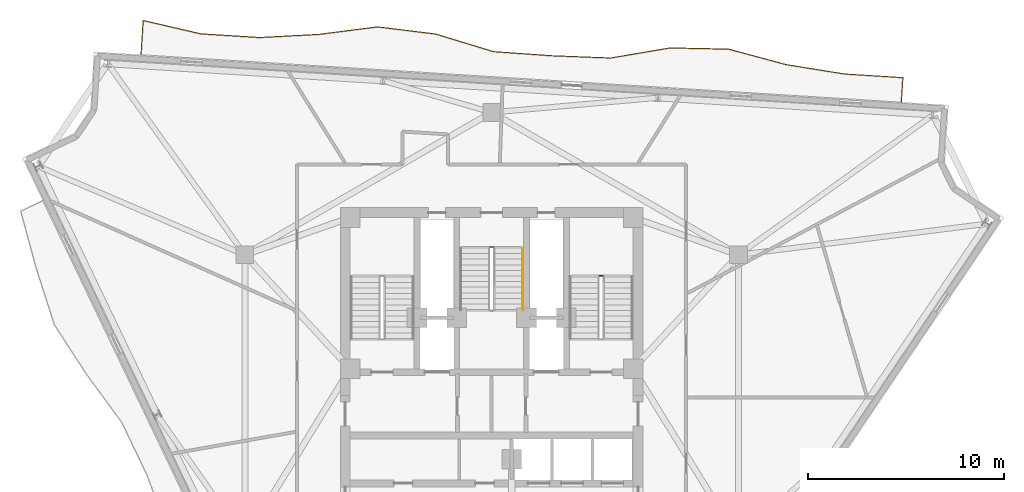
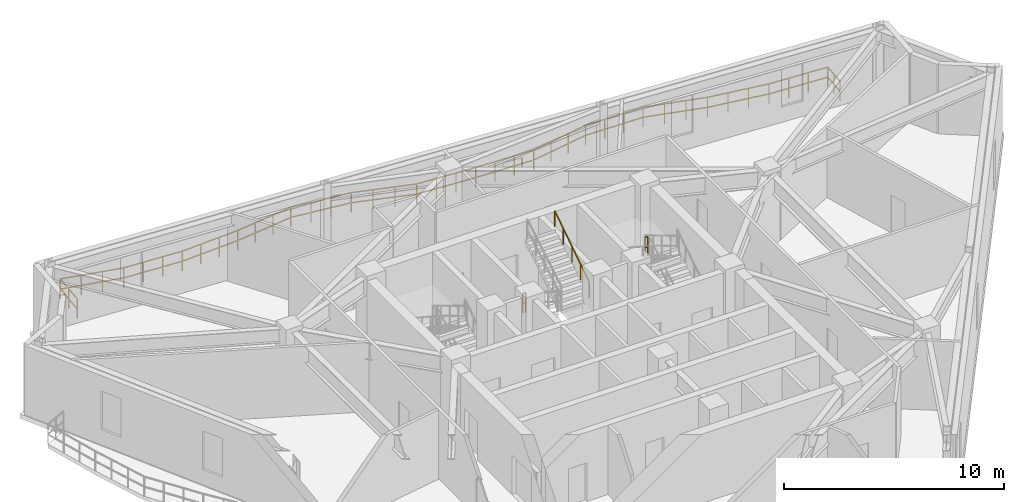
# One storey, part 10 of 10: 4 railings.
"""IFC4 building model written with IfcOpenShell, lengths in metres."""

from ifc_helpers import new_model, si_unit, direction, frame, origin, origin_2d, place, context, subcontext, project, spatial, rectangle, extrude, material, type_object, element, save


model = new_model("IFC4")

# Units and contexts
model_context = context("Model", 3, precision=1e-05, world=origin(), true_north=direction((0.0, 1.0)))
body_context = subcontext(model_context, "Body", "Model", "MODEL_VIEW")
ifc_project = project(units=[si_unit("LENGTHUNIT", "METRE"), si_unit("AREAUNIT", "SQUARE_METRE"), si_unit("VOLUMEUNIT", "CUBIC_METRE"), si_unit("PLANEANGLEUNIT", "RADIAN"), si_unit("MASSUNIT", "GRAM", prefix="KILO")], contexts=[model_context])

# Site, building, storey
site_placement = place(None, origin())
site = spatial("IfcSite", under=ifc_project, at=site_placement, CompositionType="ELEMENT")
building_placement = place(site_placement, origin())
building = spatial("IfcBuilding", under=site, at=building_placement, Name="Apsidion Concourse Tower", CompositionType="ELEMENT")
storey_placement = place(building_placement, frame((0.0, 0.0, 302.39990234375)))
storey = spatial("IfcBuildingStorey", under=building, at=storey_placement, Name="L71", CompositionType="ELEMENT", Elevation=302.39990234375)

# Railings
ifc_material = material(Name="Brushed stainless steel 316", Category="steel")
railing_type_1 = type_object("IfcRailingType", Name="RL-BAL-1120", PredefinedType="BALUSTRADE", material=ifc_material)
railing_1_placement = place(storey_placement, frame((-17.848388671875, 17.43896484375, 0.0)))
element("IfcRailing", 1, at=railing_1_placement, inside=storey, type_object=railing_type_1, Name="L71 Face 3 Rippling Balcony Balustrade", PredefinedType="BALUSTRADE", context=body_context, shape_type="SweptSolid", body=[
    extrude(rectangle(XDim=0.048095703125, YDim=0.048095703125, at=origin_2d()), frame((0.0, 0.0, 1.09619140625), z_axis=(0.062221595669, 0.99806235929, 0.0), x_axis=(-0.99806235929, 0.062221595669, 0.0)), (0.0, 0.0, 1.0), 1.74609375),
    extrude(rectangle(XDim=0.048095703125, YDim=0.048095703125, at=origin_2d()), frame((0.0, 0.0, 0.5361328125), z_axis=(0.062221595669, 0.99806235929, 0.0), x_axis=(-0.99806235929, 0.062221595669, 0.0)), (0.0, 0.0, 1.0), 1.74609375),
    extrude(rectangle(XDim=0.048095703125, YDim=0.048095703125, at=origin_2d()), frame((0.108642578125, 1.74267578125, 1.09619140625), z_axis=(0.974340827868, -0.22507765582, 0.0), x_axis=(0.22507765582, 0.974340827868, 0.0)), (0.0, 0.0, 1.0), 3.024169921875),
    extrude(rectangle(XDim=0.048095703125, YDim=0.048095703125, at=origin_2d()), frame((0.108642578125, 1.74267578125, 0.5361328125), z_axis=(0.974340827868, -0.22507765582, 0.0), x_axis=(0.22507765582, 0.974340827868, 0.0)), (0.0, 0.0, 1.0), 3.024169921875),
    extrude(rectangle(XDim=0.048095703125, YDim=0.048095703125, at=origin_2d()), frame((3.05517578125, 1.06201171875, 1.09619140625), z_axis=(0.998058624336, -0.062281477091, 0.0), x_axis=(0.062281477091, 0.998058624336, 0.0)), (0.0, 0.0, 1.0), 2.983154296875),
    extrude(rectangle(XDim=0.048095703125, YDim=0.048095703125, at=origin_2d()), frame((3.05517578125, 1.06201171875, 0.5361328125), z_axis=(0.998058624336, -0.062281477091, 0.0), x_axis=(0.062281477091, 0.998058624336, 0.0)), (0.0, 0.0, 1.0), 2.983154296875),
    extrude(rectangle(XDim=0.048095703125, YDim=0.048095703125, at=origin_2d()), frame((6.032470703125, 0.876220703125, 1.09619140625), z_axis=(0.998632390419, 0.05228143845, 0.0), x_axis=(-0.05228143845, 0.998632390419, 0.0)), (0.0, 0.0, 1.0), 3.002685546875),
    extrude(rectangle(XDim=0.048095703125, YDim=0.048095703125, at=origin_2d()), frame((6.032470703125, 0.876220703125, 0.5361328125), z_axis=(0.998632390419, 0.05228143845, 0.0), x_axis=(-0.05228143845, 0.998632390419, 0.0)), (0.0, 0.0, 1.0), 3.002685546875),
    extrude(rectangle(XDim=0.048095703125, YDim=0.048095703125, at=origin_2d()), frame((9.031005859375, 1.033203125, 1.09619140625), z_axis=(0.991964380963, 0.126517456903, 0.0), x_axis=(-0.126517456903, 0.991964380963, 0.0)), (0.0, 0.0, 1.0), 3.037353515625),
    extrude(rectangle(XDim=0.048095703125, YDim=0.048095703125, at=origin_2d()), frame((9.031005859375, 1.033203125, 0.5361328125), z_axis=(0.991964380963, 0.126517456903, 0.0), x_axis=(-0.126517456903, 0.991964380963, 0.0)), (0.0, 0.0, 1.0), 3.037353515625),
    extrude(rectangle(XDim=0.048095703125, YDim=0.048095703125, at=origin_2d()), frame((12.0439453125, 1.41748046875, 1.09619140625), z_axis=(0.992503694935, -0.122214628992, 0.0), x_axis=(0.122214628992, 0.992503694935, 0.0)), (0.0, 0.0, 1.0), 2.988525390625),
    extrude(rectangle(XDim=0.048095703125, YDim=0.048095703125, at=origin_2d()), frame((12.0439453125, 1.41748046875, 0.5361328125), z_axis=(0.992503694935, -0.122214628992, 0.0), x_axis=(0.122214628992, 0.992503694935, 0.0)), (0.0, 0.0, 1.0), 2.988525390625),
    extrude(rectangle(XDim=0.048095703125, YDim=0.048095703125, at=origin_2d()), frame((15.010009765625, 1.05224609375, 1.09619140625), z_axis=(0.956461510889, -0.291858490005, 0.0), x_axis=(0.291858490005, 0.956461510889, 0.0)), (0.0, 0.0, 1.0), 3.066650390625),
    extrude(rectangle(XDim=0.048095703125, YDim=0.048095703125, at=origin_2d()), frame((15.010009765625, 1.05224609375, 0.5361328125), z_axis=(0.956461510889, -0.291858490005, 0.0), x_axis=(0.291858490005, 0.956461510889, 0.0)), (0.0, 0.0, 1.0), 3.066650390625),
    extrude(rectangle(XDim=0.048095703125, YDim=0.048095703125, at=origin_2d()), frame((17.943115234375, 0.1572265625, 1.09619140625), z_axis=(0.997531698812, -0.070217589432, 0.0), x_axis=(0.070217589432, 0.997531698812, 0.0)), (0.0, 0.0, 1.0), 2.983154296875),
    extrude(rectangle(XDim=0.048095703125, YDim=0.048095703125, at=origin_2d()), frame((17.943115234375, 0.1572265625, 0.5361328125), z_axis=(0.997531698812, -0.070217589432, 0.0), x_axis=(0.070217589432, 0.997531698812, 0.0)), (0.0, 0.0, 1.0), 2.983154296875),
    extrude(rectangle(XDim=0.048095703125, YDim=0.048095703125, at=origin_2d()), frame((20.9189453125, -0.05224609375, 1.09619140625), z_axis=(0.999266603173, -0.038291719503, 0.0), x_axis=(0.038291719503, 0.999266603173, 0.0)), (0.0, 0.0, 1.0), 2.98388671875),
    extrude(rectangle(XDim=0.048095703125, YDim=0.048095703125, at=origin_2d()), frame((20.9189453125, -0.05224609375, 0.5361328125), z_axis=(0.999266603173, -0.038291719503, 0.0), x_axis=(0.038291719503, 0.999266603173, 0.0)), (0.0, 0.0, 1.0), 2.98388671875),
    extrude(rectangle(XDim=0.048095703125, YDim=0.048095703125, at=origin_2d()), frame((23.900634765625, -0.16650390625, 1.09619140625), z_axis=(0.985874403336, 0.167486300478, 0.0), x_axis=(-0.167486300478, 0.985874403336, 0.0)), (0.0, 0.0, 1.0), 3.06396484375),
    extrude(rectangle(XDim=0.048095703125, YDim=0.048095703125, at=origin_2d()), frame((23.900634765625, -0.16650390625, 0.5361328125), z_axis=(0.985874403336, 0.167486300478, 0.0), x_axis=(-0.167486300478, 0.985874403336, 0.0)), (0.0, 0.0, 1.0), 3.06396484375),
    extrude(rectangle(XDim=0.048095703125, YDim=0.048095703125, at=origin_2d()), frame((26.92138671875, 0.3466796875, 1.09619140625), z_axis=(0.999782595316, -0.020850949686, 0.0), x_axis=(0.020850949686, 0.999782595316, 0.0)), (0.0, 0.0, 1.0), 2.98583984375),
    extrude(rectangle(XDim=0.048095703125, YDim=0.048095703125, at=origin_2d()), frame((26.92138671875, 0.3466796875, 0.5361328125), z_axis=(0.999782595316, -0.020850949686, 0.0), x_axis=(0.020850949686, 0.999782595316, 0.0)), (0.0, 0.0, 1.0), 2.98583984375),
    extrude(rectangle(XDim=0.048095703125, YDim=0.048095703125, at=origin_2d()), frame((29.906494140625, 0.284423828125, 1.09619140625), z_axis=(0.96585311914, -0.259090239583, 0.0), x_axis=(0.259090239583, 0.96585311914, 0.0)), (0.0, 0.0, 1.0), 3.043701171875),
    extrude(rectangle(XDim=0.048095703125, YDim=0.048095703125, at=origin_2d()), frame((29.906494140625, 0.284423828125, 0.5361328125), z_axis=(0.96585311914, -0.259090239583, 0.0), x_axis=(0.259090239583, 0.96585311914, 0.0)), (0.0, 0.0, 1.0), 3.043701171875),
    extrude(rectangle(XDim=0.048095703125, YDim=0.048095703125, at=origin_2d()), frame((32.84619140625, -0.504150390625, 1.09619140625), z_axis=(0.987292287577, -0.158914879388, 0.0), x_axis=(0.158914879388, 0.987292287577, 0.0)), (0.0, 0.0, 1.0), 2.997314453125),
    extrude(rectangle(XDim=0.048095703125, YDim=0.048095703125, at=origin_2d()), frame((32.84619140625, -0.504150390625, 0.5361328125), z_axis=(0.987292287577, -0.158914879388, 0.0), x_axis=(0.158914879388, 0.987292287577, 0.0)), (0.0, 0.0, 1.0), 2.997314453125),
    extrude(rectangle(XDim=0.048095703125, YDim=0.048095703125, at=origin_2d()), frame((35.805419921875, -0.98046875, 1.09619140625), z_axis=(0.998058624336, -0.062281477091, 0.0), x_axis=(0.062281477091, 0.998058624336, 0.0)), (0.0, 0.0, 1.0), 2.983154296875),
    extrude(rectangle(XDim=0.048095703125, YDim=0.048095703125, at=origin_2d()), frame((35.805419921875, -0.98046875, 0.5361328125), z_axis=(0.998058624336, -0.062281477091, 0.0), x_axis=(0.062281477091, 0.998058624336, 0.0)), (0.0, 0.0, 1.0), 2.983154296875),
    extrude(rectangle(XDim=0.048095703125, YDim=0.048095703125, at=origin_2d()), frame((38.78271484375, -1.166259765625, 1.09619140625), z_axis=(-0.06230532804, -0.998057135688, 0.0), x_axis=(0.998057135688, -0.06230532804, 0.0)), (0.0, 0.0, 1.0), 1.25),
    extrude(rectangle(XDim=0.048095703125, YDim=0.048095703125, at=origin_2d()), frame((38.78271484375, -1.166259765625, 0.5361328125), z_axis=(-0.06230532804, -0.998057135688, 0.0), x_axis=(0.998057135688, -0.06230532804, 0.0)), (0.0, 0.0, 1.0), 1.25),
    extrude(rectangle(XDim=0.0419921875, YDim=0.0419921875, at=origin_2d()), origin(), (0.0, 0.0, 1.0), 1.072021484375),
    extrude(rectangle(XDim=0.0419921875, YDim=0.0419921875, at=origin_2d()), frame((0.05419921875, 0.871337890625, 0.0)), (0.0, 0.0, 1.0), 1.072021484375),
    extrude(rectangle(XDim=0.0419921875, YDim=0.0419921875, at=origin_2d()), frame((0.108642578125, 1.74267578125, 0.0)), (0.0, 0.0, 1.0), 1.072021484375),
    extrude(rectangle(XDim=0.0419921875, YDim=0.0419921875, at=origin_2d()), frame((1.0908203125, 1.515869140625, 0.0)), (0.0, 0.0, 1.0), 1.072021484375),
    extrude(rectangle(XDim=0.0419921875, YDim=0.0419921875, at=origin_2d()), frame((2.072998046875, 1.288818359375, 0.0)), (0.0, 0.0, 1.0), 1.072021484375),
    extrude(rectangle(XDim=0.0419921875, YDim=0.0419921875, at=origin_2d()), frame((3.05517578125, 1.06201171875, 0.0)), (0.0, 0.0, 1.0), 1.072021484375),
    extrude(rectangle(XDim=0.0419921875, YDim=0.0419921875, at=origin_2d()), frame((4.047607421875, 1.0, 0.0)), (0.0, 0.0, 1.0), 1.072021484375),
    extrude(rectangle(XDim=0.0419921875, YDim=0.0419921875, at=origin_2d()), frame((5.0400390625, 0.938232421875, 0.0)), (0.0, 0.0, 1.0), 1.072021484375),
    extrude(rectangle(XDim=0.0419921875, YDim=0.0419921875, at=origin_2d()), frame((6.032470703125, 0.876220703125, 0.0)), (0.0, 0.0, 1.0), 1.072021484375),
    extrude(rectangle(XDim=0.0419921875, YDim=0.0419921875, at=origin_2d()), frame((7.031982421875, 0.928466796875, 0.0)), (0.0, 0.0, 1.0), 1.072021484375),
    extrude(rectangle(XDim=0.0419921875, YDim=0.0419921875, at=origin_2d()), frame((8.031494140625, 0.98095703125, 0.0)), (0.0, 0.0, 1.0), 1.072021484375),
    extrude(rectangle(XDim=0.0419921875, YDim=0.0419921875, at=origin_2d()), frame((9.031005859375, 1.033203125, 0.0)), (0.0, 0.0, 1.0), 1.072021484375),
    extrude(rectangle(XDim=0.0419921875, YDim=0.0419921875, at=origin_2d()), frame((10.035400390625, 1.161376953125, 0.0)), (0.0, 0.0, 1.0), 1.072021484375),
    extrude(rectangle(XDim=0.0419921875, YDim=0.0419921875, at=origin_2d()), frame((11.03955078125, 1.289306640625, 0.0)), (0.0, 0.0, 1.0), 1.072021484375),
    extrude(rectangle(XDim=0.0419921875, YDim=0.0419921875, at=origin_2d()), frame((12.0439453125, 1.41748046875, 0.0)), (0.0, 0.0, 1.0), 1.072021484375),
    extrude(rectangle(XDim=0.0419921875, YDim=0.0419921875, at=origin_2d()), frame((13.03271484375, 1.295654296875, 0.0)), (0.0, 0.0, 1.0), 1.072021484375),
    extrude(rectangle(XDim=0.0419921875, YDim=0.0419921875, at=origin_2d()), frame((14.021240234375, 1.174072265625, 0.0)), (0.0, 0.0, 1.0), 1.072021484375),
    extrude(rectangle(XDim=0.0419921875, YDim=0.0419921875, at=origin_2d()), frame((15.010009765625, 1.05224609375, 0.0)), (0.0, 0.0, 1.0), 1.072021484375),
    extrude(rectangle(XDim=0.0419921875, YDim=0.0419921875, at=origin_2d()), frame((15.98779296875, 0.75390625, 0.0)), (0.0, 0.0, 1.0), 1.072021484375),
    extrude(rectangle(XDim=0.0419921875, YDim=0.0419921875, at=origin_2d()), frame((16.96533203125, 0.45556640625, 0.0)), (0.0, 0.0, 1.0), 1.072021484375),
    extrude(rectangle(XDim=0.0419921875, YDim=0.0419921875, at=origin_2d()), frame((17.943115234375, 0.1572265625, 0.0)), (0.0, 0.0, 1.0), 1.072021484375),
    extrude(rectangle(XDim=0.0419921875, YDim=0.0419921875, at=origin_2d()), frame((18.93505859375, 0.08740234375, 0.0)), (0.0, 0.0, 1.0), 1.072021484375),
    extrude(rectangle(XDim=0.0419921875, YDim=0.0419921875, at=origin_2d()), frame((19.927001953125, 0.017578125, 0.0)), (0.0, 0.0, 1.0), 1.072021484375),
    extrude(rectangle(XDim=0.0419921875, YDim=0.0419921875, at=origin_2d()), frame((20.9189453125, -0.05224609375, 0.0)), (0.0, 0.0, 1.0), 1.072021484375),
    extrude(rectangle(XDim=0.0419921875, YDim=0.0419921875, at=origin_2d()), frame((21.912841796875, -0.09033203125, 0.0)), (0.0, 0.0, 1.0), 1.072021484375),
    extrude(rectangle(XDim=0.0419921875, YDim=0.0419921875, at=origin_2d()), frame((22.90673828125, -0.12841796875, 0.0)), (0.0, 0.0, 1.0), 1.072021484375),
    extrude(rectangle(XDim=0.0419921875, YDim=0.0419921875, at=origin_2d()), frame((23.900634765625, -0.16650390625, 0.0)), (0.0, 0.0, 1.0), 1.072021484375),
    extrude(rectangle(XDim=0.0419921875, YDim=0.0419921875, at=origin_2d()), frame((24.907470703125, 0.004638671875, 0.0)), (0.0, 0.0, 1.0), 1.072021484375),
    extrude(rectangle(XDim=0.0419921875, YDim=0.0419921875, at=origin_2d()), frame((25.91455078125, 0.175537109375, 0.0)), (0.0, 0.0, 1.0), 1.072021484375),
    extrude(rectangle(XDim=0.0419921875, YDim=0.0419921875, at=origin_2d()), frame((26.92138671875, 0.3466796875, 0.0)), (0.0, 0.0, 1.0), 1.072021484375),
    extrude(rectangle(XDim=0.0419921875, YDim=0.0419921875, at=origin_2d()), frame((27.91650390625, 0.325927734375, 0.0)), (0.0, 0.0, 1.0), 1.072021484375),
    extrude(rectangle(XDim=0.0419921875, YDim=0.0419921875, at=origin_2d()), frame((28.911376953125, 0.30517578125, 0.0)), (0.0, 0.0, 1.0), 1.072021484375),
    extrude(rectangle(XDim=0.0419921875, YDim=0.0419921875, at=origin_2d()), frame((29.906494140625, 0.284423828125, 0.0)), (0.0, 0.0, 1.0), 1.072021484375),
    extrude(rectangle(XDim=0.0419921875, YDim=0.0419921875, at=origin_2d()), frame((30.886474609375, 0.021484375, 0.0)), (0.0, 0.0, 1.0), 1.072021484375),
    extrude(rectangle(XDim=0.0419921875, YDim=0.0419921875, at=origin_2d()), frame((31.8662109375, -0.2412109375, 0.0)), (0.0, 0.0, 1.0), 1.072021484375),
    extrude(rectangle(XDim=0.0419921875, YDim=0.0419921875, at=origin_2d()), frame((32.84619140625, -0.504150390625, 0.0)), (0.0, 0.0, 1.0), 1.072021484375),
    extrude(rectangle(XDim=0.0419921875, YDim=0.0419921875, at=origin_2d()), frame((33.83251953125, -0.662841796875, 0.0)), (0.0, 0.0, 1.0), 1.072021484375),
    extrude(rectangle(XDim=0.0419921875, YDim=0.0419921875, at=origin_2d()), frame((34.819091796875, -0.82177734375, 0.0)), (0.0, 0.0, 1.0), 1.072021484375),
    extrude(rectangle(XDim=0.0419921875, YDim=0.0419921875, at=origin_2d()), frame((35.805419921875, -0.98046875, 0.0)), (0.0, 0.0, 1.0), 1.072021484375),
    extrude(rectangle(XDim=0.0419921875, YDim=0.0419921875, at=origin_2d()), frame((36.7978515625, -1.04248046875, 0.0)), (0.0, 0.0, 1.0), 1.072021484375),
    extrude(rectangle(XDim=0.0419921875, YDim=0.0419921875, at=origin_2d()), frame((37.790283203125, -1.104248046875, 0.0)), (0.0, 0.0, 1.0), 1.072021484375),
    extrude(rectangle(XDim=0.0419921875, YDim=0.0419921875, at=origin_2d()), frame((38.78271484375, -1.166259765625, 0.0)), (0.0, 0.0, 1.0), 1.072021484375),
    extrude(rectangle(XDim=0.0419921875, YDim=0.0419921875, at=origin_2d()), frame((38.74365234375, -1.7900390625, 0.0)), (0.0, 0.0, 1.0), 1.072021484375),
    extrude(rectangle(XDim=0.0419921875, YDim=0.0419921875, at=origin_2d()), frame((38.704833984375, -2.413818359375, 0.0)), (0.0, 0.0, 1.0), 1.072021484375),
])
railing_type_2 = type_object("IfcRailingType", Name="RL-GUARD-1100", PredefinedType="GUARDRAIL", material=ifc_material)
railing_2_placement = place(storey_placement, frame((5.64990234375, 6.18505859375, 2.050048828125)))
element("IfcRailing", 2, at=railing_2_placement, inside=storey, type_object=railing_type_2, Name="L71 ST2 stair guard 2", PredefinedType="GUARDRAIL", context=body_context, shape_type="SweptSolid", body=[
    extrude(rectangle(XDim=0.048095703125, YDim=0.048095703125, at=origin_2d()), frame((0.0, 0.0, 1.09619140625), z_axis=(-1.0, 0.0, 0.0), x_axis=(0.0, -1.0, 0.0)), (0.0, 0.0, 1.0), 0.14990234375),
    extrude(rectangle(XDim=0.048095703125, YDim=0.048095703125, at=origin_2d()), frame((0.0, 0.0, 0.5361328125), z_axis=(-1.0, 0.0, 0.0), x_axis=(0.0, -1.0, 0.0)), (0.0, 0.0, 1.0), 0.14990234375),
    extrude(rectangle(XDim=0.0419921875, YDim=0.0419921875, at=origin_2d()), origin(), (0.0, 0.0, 1.0), 1.072021484375),
    extrude(rectangle(XDim=0.0419921875, YDim=0.0419921875, at=origin_2d()), frame((-0.14990234375, 0.0, 0.0)), (0.0, 0.0, 1.0), 1.072021484375),
])
railing_3_placement = place(storey_placement, frame((-0.074951171875, 7.64990234375, 0.0)))
element("IfcRailing", 3, at=railing_3_placement, inside=storey, type_object=railing_type_2, Name="L71 ST3 stair guard 4", PredefinedType="GUARDRAIL", context=body_context, shape_type="SweptSolid", body=[
    extrude(rectangle(XDim=0.048095703125, YDim=0.048095703125, at=origin_2d()), frame((0.0, 0.0, 1.09619140625), z_axis=(1.0, 0.0, 0.0), x_axis=(0.0, 1.0, 0.0)), (0.0, 0.0, 1.0), 0.14990234375),
    extrude(rectangle(XDim=0.048095703125, YDim=0.048095703125, at=origin_2d()), frame((0.0, 0.0, 0.5361328125), z_axis=(1.0, 0.0, 0.0), x_axis=(0.0, 1.0, 0.0)), (0.0, 0.0, 1.0), 0.14990234375),
    extrude(rectangle(XDim=0.0419921875, YDim=0.0419921875, at=origin_2d()), origin(), (0.0, 0.0, 1.0), 1.072021484375),
    extrude(rectangle(XDim=0.0419921875, YDim=0.0419921875, at=origin_2d()), frame((0.14990234375, 0.0, 0.0)), (0.0, 0.0, 1.0), 1.072021484375),
])
railing_type_3 = type_object("IfcRailingType", Name="RL-HAND-900", PredefinedType="HANDRAIL", material=ifc_material)
railing_4_placement = place(storey_placement, frame((1.574951171875, 4.465087890625, 2.220947265625)))
element("IfcRailing", 4, at=railing_4_placement, inside=storey, type_object=railing_type_3, Name="L71 ST3 stair handrail 2", PredefinedType="HANDRAIL", context=body_context, shape_type="SweptSolid", body=[
    extrude(rectangle(XDim=0.048095703125, YDim=0.048095703125, at=origin_2d()), frame((0.0, 0.0, 0.8759765625), z_axis=(0.0, 0.836940907821, 0.547293263996), x_axis=(-1.0, 0.0, 0.0)), (0.0, 0.0, 1.0), 3.745849609375),
    extrude(rectangle(XDim=0.0419921875, YDim=0.0419921875, at=origin_2d()), origin(), (0.0, 0.0, 1.0), 0.851806640625),
    extrude(rectangle(XDim=0.0419921875, YDim=0.0419921875, at=origin_2d()), frame((0.0, 0.78369140625, 0.512451171875)), (0.0, 0.0, 1.0), 0.851806640625),
    extrude(rectangle(XDim=0.0419921875, YDim=0.0419921875, at=origin_2d()), frame((0.0, 1.5673828125, 1.02490234375)), (0.0, 0.0, 1.0), 0.851806640625),
    extrude(rectangle(XDim=0.0419921875, YDim=0.0419921875, at=origin_2d()), frame((0.0, 2.351318359375, 1.53759765625)), (0.0, 0.0, 1.0), 0.851806640625),
    extrude(rectangle(XDim=0.0419921875, YDim=0.0419921875, at=origin_2d()), frame((0.0, 3.135009765625, 2.050048828125)), (0.0, 0.0, 1.0), 0.851806640625),
])

save(model, "model.ifc")
